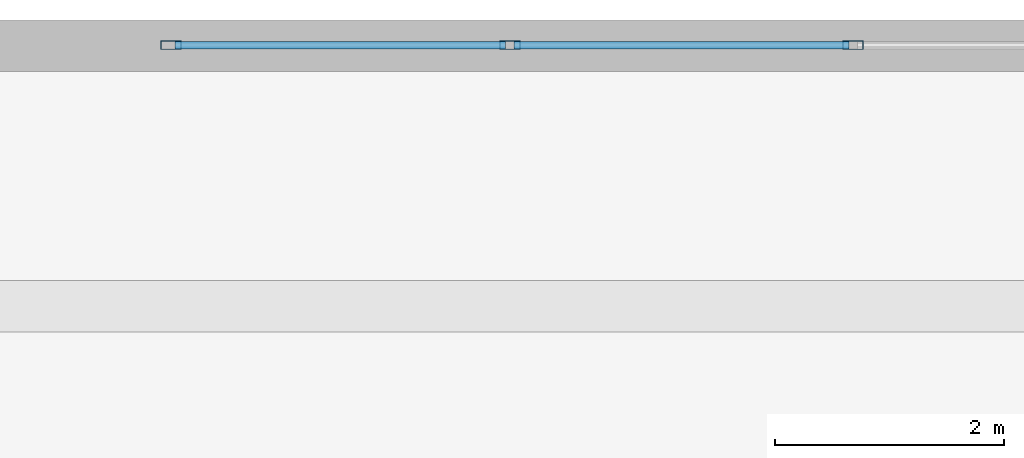
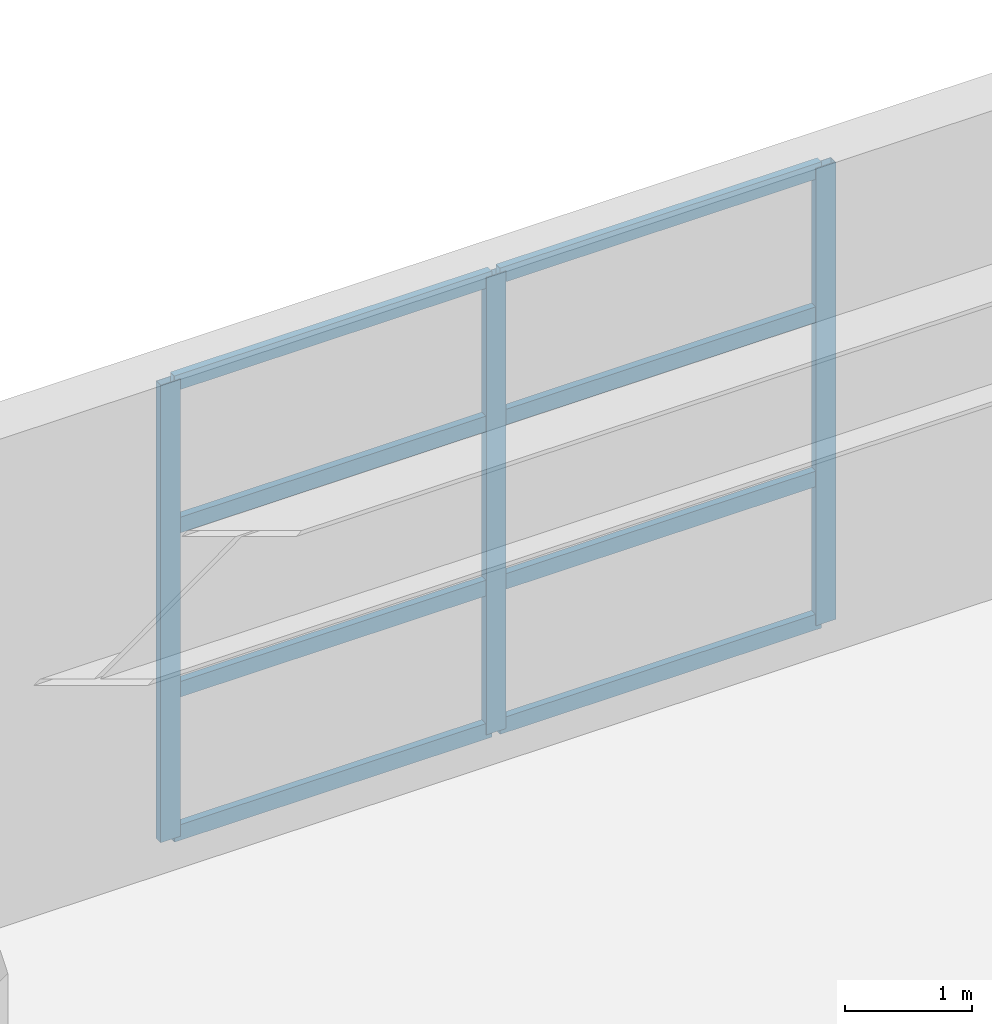
# One storey, part 18 of 35: 11 members, 1 element without a shape of its own.
"""IFC4 building model written with IfcOpenShell, lengths in metres."""

from ifc_helpers import new_model, si_unit, direction, frame, origin, origin_2d, place, context, subcontext, project, spatial, hollow_rectangle, extrude, material, layer, layer_set, material_profile, profile_set, type_object, element, aggregate, save


model = new_model("IFC4")

# Units and contexts
model_context = context("Model", 3, precision=1e-05, world=origin(), true_north=direction((0.0, 1.0)))
body_context = subcontext(model_context, "Body", "Model", "MODEL_VIEW")
ifc_project = project(units=[si_unit("LENGTHUNIT", "METRE"), si_unit("AREAUNIT", "SQUARE_METRE"), si_unit("VOLUMEUNIT", "CUBIC_METRE"), si_unit("PLANEANGLEUNIT", "RADIAN"), si_unit("MASSUNIT", "GRAM", prefix="KILO")], contexts=[model_context])

# Site, building, storey
site_placement = place(None, origin())
site = spatial("IfcSite", under=ifc_project, at=site_placement, CompositionType="ELEMENT")
building_placement = place(site_placement, origin())
building = spatial("IfcBuilding", under=site, at=building_placement, Name="Qiaolan Cultural Towers", CompositionType="ELEMENT")
storey_placement = place(building_placement, frame((0.0, 0.0, 11.5)))
storey = spatial("IfcBuildingStorey", under=building, at=storey_placement, Name="L02", CompositionType="ELEMENT", Elevation=11.5)

# Curtain wall, members
ifc_material_1 = material(Name="Unitized Anodized Aluminium Curtain Wall System", Category="aluminium")
ifc_layer = layer(ifc_material_1, 0.199951171875)
ifc_layer_set = layer_set([ifc_layer], Name="Unitized Anodized Aluminium Curtain Wall System")
curtain_wall_type = type_object("IfcCurtainWallType", Name="CWS-01", PredefinedType="NOTDEFINED", material=ifc_layer_set)
curtain_wall_placement = place(storey_placement, origin())
curtain_wall = element("IfcCurtainWall", 1, at=curtain_wall_placement, inside=storey, type_object=curtain_wall_type, Name="L02 North Atrium Curtain Wall", PredefinedType="NOTDEFINED")
ifc_material_2 = material(Name="Extruded Aluminium 6063-T6", Category="aluminium")
ifc_material_profile_1 = material_profile(ifc_material_2, hollow_rectangle(XDim=0.074951171875, YDim=0.179931640625, WallThickness=0.00390625, at=origin_2d()), Name="CWM-180x75x4")
ifc_profile_set_1 = profile_set([ifc_material_profile_1], Name="Extruded Aluminium 6063-T6")
member_type_1 = type_object("IfcMemberType", Name="CWS-01-MUL", PredefinedType="MULLION", material=ifc_profile_set_1)
member_1_placement = place(storey_placement, frame((50.03759765625, 67.780029296875, 0.14990234375), z_axis=(0.0, 0.0, 1.0), x_axis=(0.0, 1.0, 0.0)))
member_1 = element("IfcMember", 2, at=member_1_placement, type_object=member_type_1, Name="CW-1 mullion 1", PredefinedType="MULLION", context=body_context, shape_type="SweptSolid", body=[
    extrude(hollow_rectangle(XDim=0.074951171875, YDim=0.179931640625, WallThickness=0.00390625, at=origin_2d()), origin(), (0.0, 0.0, 1.0), 4.400146484375),
])
member_2_placement = place(storey_placement, frame((53.0, 67.780029296875, 0.14990234375), z_axis=(0.0, 0.0, 1.0), x_axis=(0.0, 1.0, 0.0)))
member_2 = element("IfcMember", 3, at=member_2_placement, type_object=member_type_1, Name="CW-1 mullion 2", PredefinedType="MULLION", context=body_context, shape_type="SweptSolid", body=[
    extrude(hollow_rectangle(XDim=0.074951171875, YDim=0.179931640625, WallThickness=0.00390625, at=origin_2d()), origin(), (0.0, 0.0, 1.0), 4.400146484375),
])
member_3_placement = place(storey_placement, frame((56.0, 67.780029296875, 0.14990234375), z_axis=(0.0, 0.0, 1.0), x_axis=(0.0, 1.0, 0.0)))
member_3 = element("IfcMember", 4, at=member_3_placement, type_object=member_type_1, Name="CW-1 mullion 3", PredefinedType="MULLION", context=body_context, shape_type="SweptSolid", body=[
    extrude(hollow_rectangle(XDim=0.074951171875, YDim=0.179931640625, WallThickness=0.00390625, at=origin_2d()), origin(), (0.0, 0.0, 1.0), 4.400146484375),
])
ifc_material_3 = material(Name="Extruded Aluminium 6063-T6", Category="aluminium")
ifc_material_profile_2 = material_profile(ifc_material_3, hollow_rectangle(XDim=0.06494140625, YDim=0.14990234375, WallThickness=0.00390625, at=origin_2d()), Name="CWT-150x65x4")
ifc_profile_set_2 = profile_set([ifc_material_profile_2], Name="Extruded Aluminium 6063-T6")
member_type_2 = type_object("IfcMemberType", Name="CWS-01-TRN", PredefinedType="USERDEFINED", material=ifc_profile_set_2)
member_4_placement = place(storey_placement, frame((50.074951171875, 67.780029296875, 0.1826171875), z_axis=(1.0, 0.0, 0.0), x_axis=(0.0, 1.0, 0.0)))
member_4 = element("IfcMember", 5, at=member_4_placement, type_object=member_type_2, Name="CW-1 transom 1.1", ObjectType="TRANSOM", PredefinedType="USERDEFINED", context=body_context, shape_type="SweptSolid", body=[
    extrude(hollow_rectangle(XDim=0.06494140625, YDim=0.14990234375, WallThickness=0.00390625, at=origin_2d()), origin(), (0.0, 0.0, 1.0), 2.887451171875),
])
member_5_placement = place(storey_placement, frame((50.074951171875, 67.780029296875, 1.56005859375), z_axis=(1.0, 0.0, 0.0), x_axis=(0.0, 1.0, 0.0)))
member_5 = element("IfcMember", 6, at=member_5_placement, type_object=member_type_2, Name="CW-1 transom 1.2", ObjectType="TRANSOM", PredefinedType="USERDEFINED", context=body_context, shape_type="SweptSolid", body=[
    extrude(hollow_rectangle(XDim=0.06494140625, YDim=0.14990234375, WallThickness=0.00390625, at=origin_2d()), origin(), (0.0, 0.0, 1.0), 2.887451171875),
])
member_6_placement = place(storey_placement, frame((50.074951171875, 67.780029296875, 3.139892578125), z_axis=(1.0, 0.0, 0.0), x_axis=(0.0, 1.0, 0.0)))
member_6 = element("IfcMember", 7, at=member_6_placement, type_object=member_type_2, Name="CW-1 transom 1.3", ObjectType="TRANSOM", PredefinedType="USERDEFINED", context=body_context, shape_type="SweptSolid", body=[
    extrude(hollow_rectangle(XDim=0.06494140625, YDim=0.14990234375, WallThickness=0.00390625, at=origin_2d()), origin(), (0.0, 0.0, 1.0), 2.887451171875),
])
member_7_placement = place(storey_placement, frame((50.074951171875, 67.780029296875, 4.517578125), z_axis=(1.0, 0.0, 0.0), x_axis=(0.0, 1.0, 0.0)))
member_7 = element("IfcMember", 8, at=member_7_placement, type_object=member_type_2, Name="CW-1 transom 1.4", ObjectType="TRANSOM", PredefinedType="USERDEFINED", context=body_context, shape_type="SweptSolid", body=[
    extrude(hollow_rectangle(XDim=0.06494140625, YDim=0.14990234375, WallThickness=0.00390625, at=origin_2d()), origin(), (0.0, 0.0, 1.0), 2.887451171875),
])
member_8_placement = place(storey_placement, frame((53.03759765625, 67.780029296875, 0.1826171875), z_axis=(1.0, 0.0, 0.0), x_axis=(0.0, 1.0, 0.0)))
member_8 = element("IfcMember", 9, at=member_8_placement, type_object=member_type_2, Name="CW-1 transom 2.1", ObjectType="TRANSOM", PredefinedType="USERDEFINED", context=body_context, shape_type="SweptSolid", body=[
    extrude(hollow_rectangle(XDim=0.06494140625, YDim=0.14990234375, WallThickness=0.00390625, at=origin_2d()), origin(), (0.0, 0.0, 1.0), 2.9248046875),
])
member_9_placement = place(storey_placement, frame((53.03759765625, 67.780029296875, 1.56005859375), z_axis=(1.0, 0.0, 0.0), x_axis=(0.0, 1.0, 0.0)))
member_9 = element("IfcMember", 10, at=member_9_placement, type_object=member_type_2, Name="CW-1 transom 2.2", ObjectType="TRANSOM", PredefinedType="USERDEFINED", context=body_context, shape_type="SweptSolid", body=[
    extrude(hollow_rectangle(XDim=0.06494140625, YDim=0.14990234375, WallThickness=0.00390625, at=origin_2d()), origin(), (0.0, 0.0, 1.0), 2.9248046875),
])
member_10_placement = place(storey_placement, frame((53.03759765625, 67.780029296875, 3.139892578125), z_axis=(1.0, 0.0, 0.0), x_axis=(0.0, 1.0, 0.0)))
member_10 = element("IfcMember", 11, at=member_10_placement, type_object=member_type_2, Name="CW-1 transom 2.3", ObjectType="TRANSOM", PredefinedType="USERDEFINED", context=body_context, shape_type="SweptSolid", body=[
    extrude(hollow_rectangle(XDim=0.06494140625, YDim=0.14990234375, WallThickness=0.00390625, at=origin_2d()), origin(), (0.0, 0.0, 1.0), 2.9248046875),
])
member_11_placement = place(storey_placement, frame((53.03759765625, 67.780029296875, 4.517578125), z_axis=(1.0, 0.0, 0.0), x_axis=(0.0, 1.0, 0.0)))
member_11 = element("IfcMember", 12, at=member_11_placement, type_object=member_type_2, Name="CW-1 transom 2.4", ObjectType="TRANSOM", PredefinedType="USERDEFINED", context=body_context, shape_type="SweptSolid", body=[
    extrude(hollow_rectangle(XDim=0.06494140625, YDim=0.14990234375, WallThickness=0.00390625, at=origin_2d()), origin(), (0.0, 0.0, 1.0), 2.9248046875),
])
aggregate(curtain_wall, [member_1, member_2, member_3, member_4, member_5, member_6, member_7, member_8, member_9, member_10, member_11])

save(model, "model.ifc")
